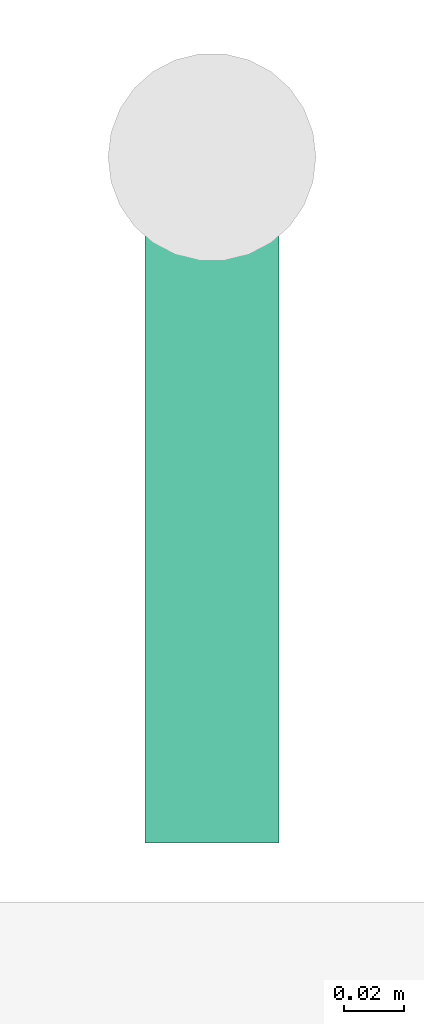
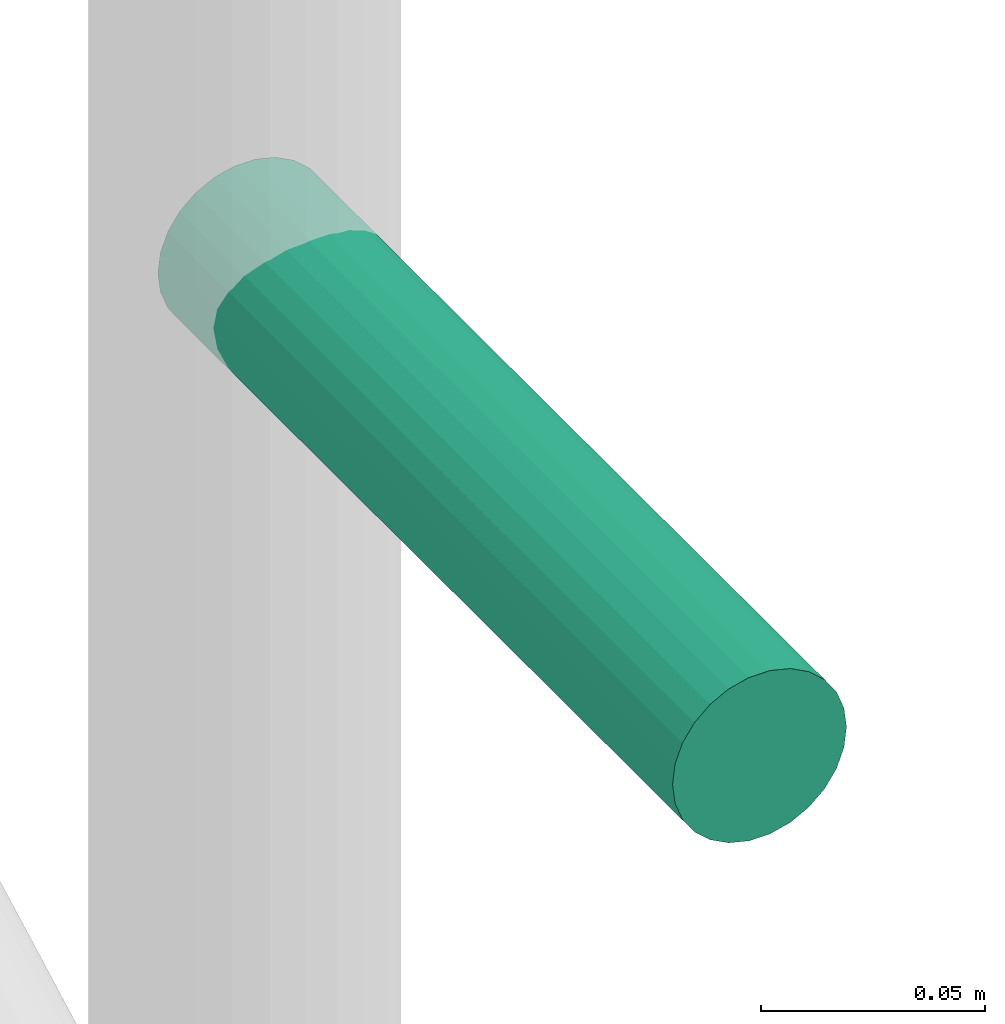
# One storey, part 32 of 33: 1 pipe fitting.
"""IFC4 building model written with IfcOpenShell, lengths in metres."""

from ifc_helpers import new_model, si_unit, direction, frame, origin, origin_2d, place, context, subcontext, project, spatial, circle, extrude, element, save


model = new_model("IFC4")

# Units and contexts
model_context = context("Model", 3, precision=1e-05, world=origin(), true_north=direction((0.0, 1.0)))
body_context = subcontext(model_context, "Body", "Model", "MODEL_VIEW")
ifc_project = project(units=[si_unit("LENGTHUNIT", "METRE"), si_unit("AREAUNIT", "SQUARE_METRE"), si_unit("VOLUMEUNIT", "CUBIC_METRE"), si_unit("PLANEANGLEUNIT", "RADIAN"), si_unit("MASSUNIT", "GRAM", prefix="KILO")], contexts=[model_context])

# Site, building, storey
site_placement = place(None, origin())
site = spatial("IfcSite", under=ifc_project, at=site_placement, CompositionType="ELEMENT")
building_placement = place(site_placement, origin())
building = spatial("IfcBuilding", under=site, at=building_placement, Name="Nzadi Deep Aquarium and Research Tower", CompositionType="ELEMENT")
storey_placement = place(building_placement, frame((0.0, 0.0, 6.5)))
storey = spatial("IfcBuildingStorey", under=building, at=storey_placement, Name="L01", CompositionType="ELEMENT", Elevation=6.5)

# Pipe fitting
pipe_fitting_placement = place(storey_placement, frame((2.300048828125, 116.360107421875, 1.10009765625), z_axis=(0.0, -1.0, 0.0), x_axis=(1.0, 0.0, 0.0)))
element("IfcPipeFitting", 1, at=pipe_fitting_placement, inside=storey, Name="Dry riser outlet ST-Z3-W L01", PredefinedType="EXIT", context=body_context, shape_type="SweptSolid", body=[
    extrude(circle(Radius=0.0224609375, at=origin_2d()), origin(), (0.0, 0.0, 1.0), 0.230224609375),
])

save(model, "model.ifc")
